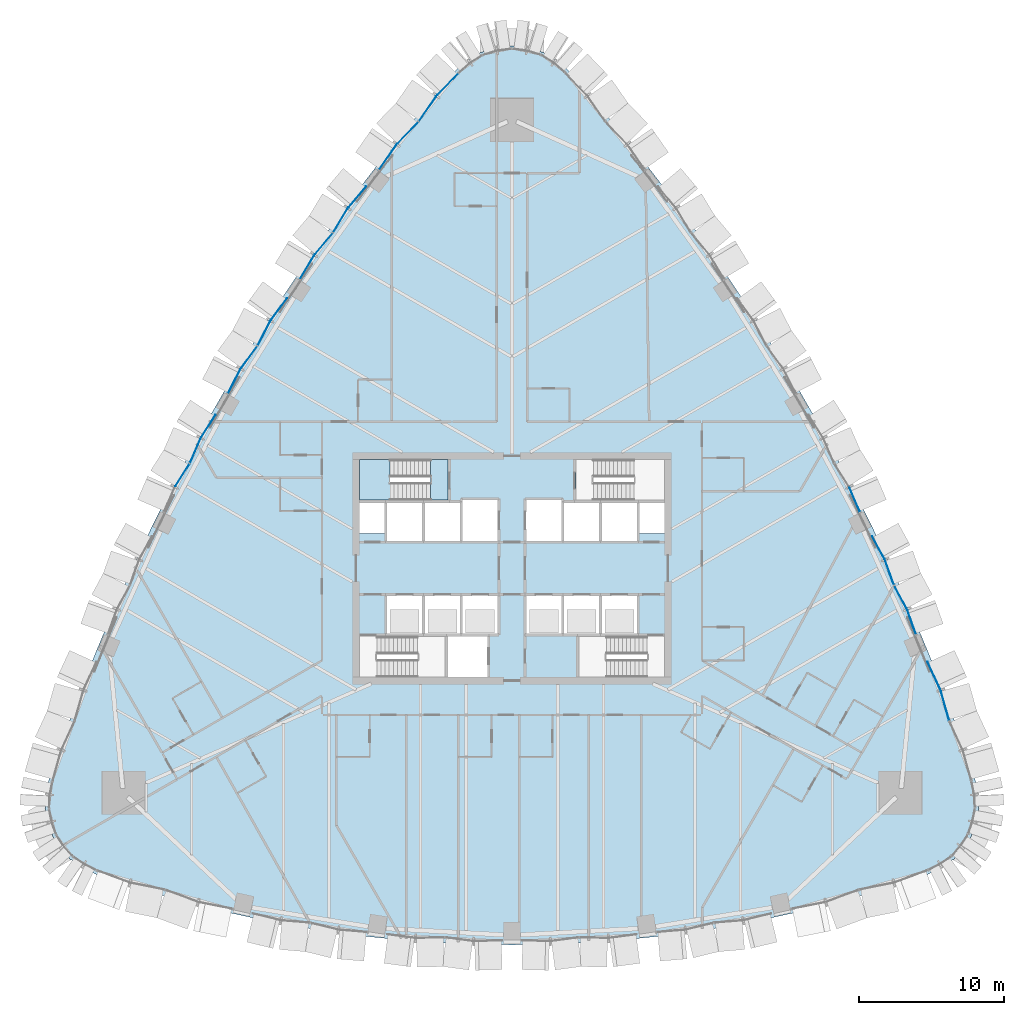
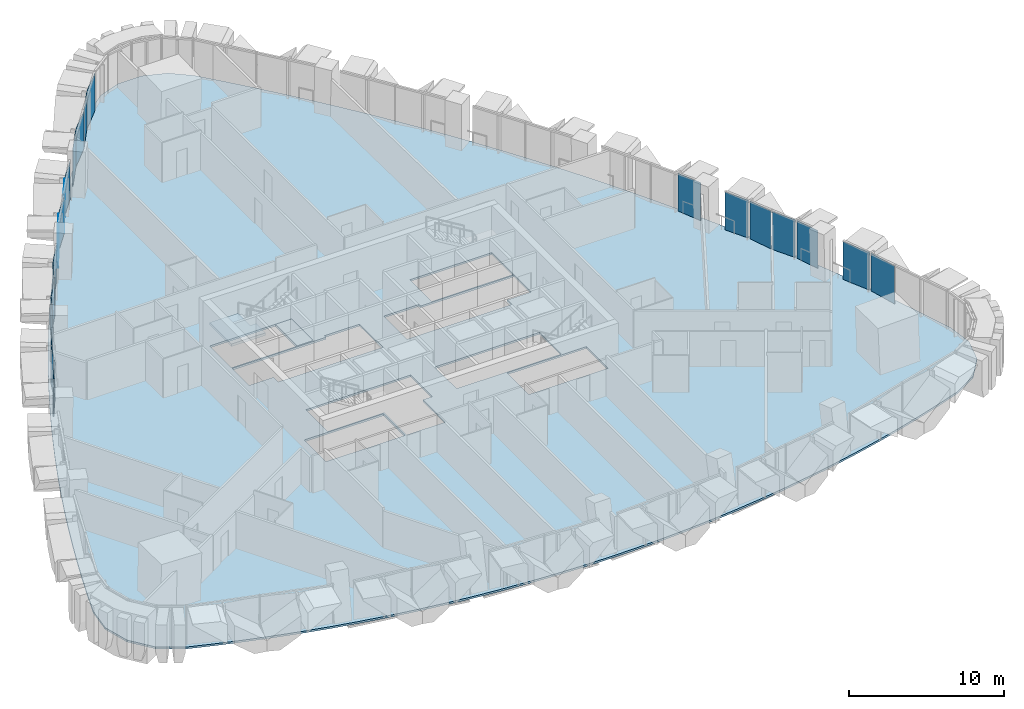
# One storey, part 11 of 22: 22 plates, 3 slabs, 8 elements without a shape of their own.
"""IFC4 building model written with IfcOpenShell, lengths in metres."""

import ifcopenshell
import ifcopenshell.guid

model = None  # the IFC model being written
_history = None  # IfcOwnerHistory: only IFC2X3 demands one
_inside = {}  # id of a spatial element -> (the spatial element, [elements in it])
_under = {}  # id of a project, library or spatial element -> (it, [spatial elements below it])
_declared = {}  # id of a project -> (the project, [libraries it declares])
_typed = {}  # id of a type object -> (the type object, [elements of that type])
_made_of = {}  # id of a material, layer set ... -> (it, [elements and type objects made of it])


def new_model(schema):
    """Start an empty IFC model of exactly this schema.

    Asked for "IFC4X3", IfcOpenShell would pick the latest addendum, in which some entities
    have other attributes; the version numbers below select the first issue.
    IFC2X3 requires an IfcOwnerHistory on every rooted entity: one is made here for all.
    """
    global model, _history
    if schema == "IFC4X3":
        model = ifcopenshell.file(schema_version=(4, 3, 0, 0))
    else:
        model = ifcopenshell.file(schema=schema)
    _inside.clear()
    _under.clear()
    _declared.clear()
    _typed.clear()
    _made_of.clear()
    _history = None
    if model.schema == "IFC2X3":
        org = make("IfcOrganization", Name="unknown")
        user = make(
            "IfcPersonAndOrganization",
            ThePerson=make("IfcPerson", FamilyName="unknown"),
            TheOrganization=org,
        )
        app = make(
            "IfcApplication",
            ApplicationDeveloper=org,
            Version="unknown",
            ApplicationFullName="unknown",
            ApplicationIdentifier="unknown",
        )
        _history = make(
            "IfcOwnerHistory",
            OwningUser=user,
            OwningApplication=app,
            ChangeAction="ADDED",
            CreationDate=0,
        )
    return model


def make(cls, **values):
    """One entity of the class cls with the attributes given. An attribute that is None is left unset."""
    return model.create_entity(
        cls, **{name: value for name, value in values.items() if value is not None}
    )


def rooted(cls, **values):
    """An entity with a GlobalId (a new one), such as an element, a storey or a relation."""
    return make(cls, GlobalId=ifcopenshell.guid.new(), OwnerHistory=_history, **values)


def si_unit(unit_type, name, prefix=None):
    """IfcSIUnit, for example si_unit("LENGTHUNIT", "METRE", prefix="MILLI")."""
    return make("IfcSIUnit", UnitType=unit_type, Prefix=prefix, Name=name)


def assignment(units):
    """IfcUnitAssignment: the units of a project."""
    return None if units is None else make("IfcUnitAssignment", Units=units)


def point(xyz):
    """IfcCartesianPoint."""
    return None if xyz is None else make("IfcCartesianPoint", Coordinates=xyz)


def direction(xyz):
    """IfcDirection."""
    return None if xyz is None else make("IfcDirection", DirectionRatios=xyz)


def frame(location, z_axis=None, x_axis=None):
    """IfcAxis2Placement3D, a coordinate frame: its origin and axes. An axis left out is left unset."""
    return make(
        "IfcAxis2Placement3D",
        Location=point(location),
        Axis=direction(z_axis),
        RefDirection=direction(x_axis),
    )


def origin():
    """The frame at (0, 0, 0) with its axes left unset."""
    return frame((0.0, 0.0, 0.0))


def place(relative_to, where):
    """IfcLocalPlacement: puts the frame where relative to a parent placement (None: the world)."""
    return make(
        "IfcLocalPlacement", PlacementRelTo=relative_to, RelativePlacement=where
    )


def context(
    kind, dimensions, precision=None, world=None, true_north=None, identifier=None
):
    """IfcGeometricRepresentationContext, for example the 3D "Model" context."""
    return make(
        "IfcGeometricRepresentationContext",
        ContextIdentifier=identifier,
        ContextType=kind,
        CoordinateSpaceDimension=dimensions,
        Precision=precision,
        WorldCoordinateSystem=world,
        TrueNorth=true_north,
    )


def subcontext(parent, identifier, kind, view, scale=None):
    """IfcGeometricRepresentationSubContext, for example "Body" below "Model"."""
    return make(
        "IfcGeometricRepresentationSubContext",
        ContextIdentifier=identifier,
        ContextType=kind,
        ParentContext=parent,
        TargetScale=scale,
        TargetView=view,
    )


def project(units=None, contexts=None):
    """IfcProject with its units and contexts."""
    return rooted(
        "IfcProject",
        Name="project",
        RepresentationContexts=contexts,
        UnitsInContext=assignment(units),
    )


def spatial(cls, under=None, at=None, **own):
    """A site, building, storey or space (cls), placed at a placement, below another one or the project."""
    s = rooted(cls, ObjectPlacement=at, **own)
    if under is not None:
        _under.setdefault(under.id(), (under, []))[1].append(s)
    return s


def polyline(points):
    """IfcPolyline through the points."""
    return make("IfcPolyline", Points=[point(p) for p in points])


def outline(outer, holes=None, kind="AREA"):
    """IfcArbitraryClosedProfileDef: a profile drawn as a closed curve; with holes, ...WithVoids."""
    if holes is None:
        return make("IfcArbitraryClosedProfileDef", ProfileType=kind, OuterCurve=outer)
    return make(
        "IfcArbitraryProfileDefWithVoids",
        ProfileType=kind,
        OuterCurve=outer,
        InnerCurves=holes,
    )


def extrude(swept, where, along, depth):
    """IfcExtrudedAreaSolid: the profile swept, set in the frame where, extruded along a direction by depth."""
    return make(
        "IfcExtrudedAreaSolid",
        SweptArea=swept,
        Position=where,
        ExtrudedDirection=direction(along),
        Depth=depth,
    )


def shape(context_of_items, identifier, shape_type, items):
    """IfcShapeRepresentation: the items that make up one representation, for example the "Body"."""
    return make(
        "IfcShapeRepresentation",
        ContextOfItems=context_of_items,
        RepresentationIdentifier=identifier,
        RepresentationType=shape_type,
        Items=items,
    )


def material(Name=None, Category=None):
    """IfcMaterial."""
    return make("IfcMaterial", Name=Name, Category=Category)


def layer(
    of_material, thickness, ventilated=None, Name=None, Category=None, Priority=None
):
    """IfcMaterialLayer: one layer of a wall or slab, of a material (None: an air gap)."""
    return make(
        "IfcMaterialLayer",
        Material=of_material,
        LayerThickness=thickness,
        IsVentilated=ventilated,
        Name=Name,
        Category=Category,
        Priority=Priority,
    )


def layer_set(layers, Name=None):
    """IfcMaterialLayerSet."""
    return make("IfcMaterialLayerSet", MaterialLayers=layers, LayerSetName=Name)


def made_of(thing, what):
    """Note that an element or type object is made of a material, layer set ...; save() writes the relation."""
    if what is not None:
        _made_of.setdefault(what.id(), (what, []))[1].append(thing)
    return thing


def type_object(cls, material=None, **own):
    """A type object (cls), such as IfcWallType, which elements share."""
    return made_of(rooted(cls, **own), material)


def element(
    cls,
    number,
    at=None,
    inside=None,
    cuts=None,
    type_object=None,
    material=None,
    context=None,
    identifier="Body",
    shape_type=None,
    held_by="IfcProductDefinitionShape",
    body=None,
    shapes=None,
    **own,
):
    """One element of the class cls, such as IfcWall. Its Tag is "e" and its number.

    at: its placement. inside: the storey or other place that contains it. cuts: it is an
    opening in that element (IfcRelVoidsElement). A single representation is given by context,
    identifier, shape_type and body (its items); several are given by shapes. held_by: the class
    of the entity that holds the representations. save() writes the other relations.
    """
    e = rooted(cls, Tag="e%d" % number, ObjectPlacement=at, **own)
    if body is not None:
        shapes = [shape(context, identifier, shape_type, body)]
    if shapes is not None:
        e.Representation = make(held_by, Representations=shapes)
    if inside is not None:
        _inside.setdefault(inside.id(), (inside, []))[1].append(e)
    if cuts is not None:
        rooted(
            "IfcRelVoidsElement", RelatingBuildingElement=cuts, RelatedOpeningElement=e
        )
    if type_object is not None:
        _typed.setdefault(type_object.id(), (type_object, []))[1].append(e)
    return made_of(e, material)


def aggregate(whole, parts):
    """IfcRelAggregates: a whole, such as a stair, and the parts it consists of."""
    return rooted("IfcRelAggregates", RelatingObject=whole, RelatedObjects=parts)


def save(model, path):
    """Write the relations noted so far, then the file.

    IfcRelAggregates (storeys below a building ...), IfcRelContainedInSpatialStructure (elements
    in a storey), IfcRelDefinesByType, IfcRelAssociatesMaterial and IfcRelDeclares: one each for
    every whole, place, type object, material and project.
    """
    for whole, parts in _under.values():
        aggregate(whole, parts)
    for where, things in _inside.values():
        rooted(
            "IfcRelContainedInSpatialStructure",
            RelatedElements=things,
            RelatingStructure=where,
        )
    for kind, things in _typed.values():
        rooted("IfcRelDefinesByType", RelatedObjects=things, RelatingType=kind)
    for what, things in _made_of.values():
        rooted("IfcRelAssociatesMaterial", RelatedObjects=things, RelatingMaterial=what)
    for by, libraries in _declared.values():
        rooted("IfcRelDeclares", RelatingContext=by, RelatedDefinitions=libraries)
    model.write(path)


model = new_model("IFC4")

# Units and contexts
model_context = context("Model", 3, precision=1e-05, world=origin(), true_north=direction((0.0, 1.0)))
body_context = subcontext(model_context, "Body", "Model", "MODEL_VIEW")
ifc_project = project(units=[si_unit("LENGTHUNIT", "METRE"), si_unit("AREAUNIT", "SQUARE_METRE"), si_unit("VOLUMEUNIT", "CUBIC_METRE"), si_unit("PLANEANGLEUNIT", "RADIAN"), si_unit("MASSUNIT", "GRAM", prefix="KILO")], contexts=[model_context])

# Site, building, storey
site_placement = place(None, origin())
site = spatial("IfcSite", under=ifc_project, at=site_placement, CompositionType="ELEMENT")
building_placement = place(site_placement, origin())
building = spatial("IfcBuilding", under=site, at=building_placement, Name="Sierra Prisma Convention Tower", CompositionType="ELEMENT")
storey_placement = place(building_placement, frame((0.0, 0.0, 62.800048828125)))
storey = spatial("IfcBuildingStorey", under=building, at=storey_placement, Name="L11", CompositionType="ELEMENT", Elevation=62.800048828125)

# Curtain wall, plates
ifc_material_1 = material(Name="Aluminium and glass curtain wall", Category="aluminium")
ifc_layer_1 = layer(ifc_material_1, 0.179931640625)
ifc_layer_set_1 = layer_set([ifc_layer_1], Name="CW-2 Faceted crystal curtain wall")
curtain_wall_type = type_object("IfcCurtainWallType", Name="CW-2 Faceted crystal curtain wall", PredefinedType="NOTDEFINED", material=ifc_layer_set_1)
curtain_wall_1_placement = place(storey_placement, origin())
curtain_wall_1 = element("IfcCurtainWall", 1, at=curtain_wall_1_placement, inside=storey, type_object=curtain_wall_type, Name="CW-2 NE1 L11", PredefinedType="NOTDEFINED")
ifc_material_2 = material(Name="Tinted glass bronze-grey IGU", Category="glass")
ifc_layer_2 = layer(ifc_material_2, 0.028076171875)
ifc_layer_set_2 = layer_set([ifc_layer_2], Name="CW-2 crystal pane")
plate_type = type_object("IfcPlateType", Name="CW-2 crystal pane", PredefinedType="CURTAIN_PANEL", material=ifc_layer_set_2)
plate_1_placement = place(storey_placement, frame((30.135498046875, -10.476318359375, 0.0), z_axis=(0.962466033033, 0.271402165168, 0.0), x_axis=(-0.271402165168, 0.962466033033, 0.0)))
plate_1 = element("IfcPlate", 2, at=plate_1_placement, type_object=plate_type, Name="CW-2 pane NE1.2.1", PredefinedType="CURTAIN_PANEL", context=body_context, shape_type="SweptSolid", body=[
    extrude(outline(polyline([(0.0, 0.0), (2.0995566428016534, 0.0), (2.0995566428016534, 2.9799804687499996), (0.0, 2.9799804687499996), (0.0, 0.0)])), origin(), (0.0, 0.0, -1.0), 0.028076171875),
])
plate_2_placement = place(storey_placement, frame((28.641845703125, -6.427001953125, 0.0), z_axis=(0.908163479477, 0.418615688363, 0.0), x_axis=(0.418615688363, -0.908163479477, 0.0)))
plate_2 = element("IfcPlate", 3, at=plate_2_placement, type_object=plate_type, Name="CW-2 pane NE1.2.2", PredefinedType="CURTAIN_PANEL", context=body_context, shape_type="SweptSolid", body=[
    extrude(outline(polyline([(0.0, 0.0), (2.0995540168029176, 0.0), (2.0995540168029176, -2.97998046875), (0.0, -2.97998046875), (0.0, 0.0)])), origin(), (0.0, 0.0, -1.0), 0.028076171875),
])
aggregate(curtain_wall_1, [plate_1, plate_2])

curtain_wall_2_placement = place(storey_placement, origin())
curtain_wall_2 = element("IfcCurtainWall", 4, at=curtain_wall_2_placement, inside=storey, type_object=curtain_wall_type, Name="CW-2 NE2 L11", PredefinedType="NOTDEFINED")
plate_3_placement = place(storey_placement, frame((27.848388671875, -4.5419921875, 0.0), z_axis=(0.942171203205, 0.335131949912, 0.0), x_axis=(-0.335131949912, 0.942171203205, 0.0)))
plate_3 = element("IfcPlate", 5, at=plate_3_placement, type_object=plate_type, Name="CW-2 pane NE2.1.1", PredefinedType="CURTAIN_PANEL", context=body_context, shape_type="SweptSolid", body=[
    extrude(outline(polyline([(0.0, 0.0), (1.7724187168105476, 0.0), (1.7724187168105476, 2.97998046875), (0.0, 2.97998046875), (0.0, 0.0)])), origin(), (0.0, 0.0, -1.0), 0.028076171875),
])
plate_4_placement = place(storey_placement, frame((26.353759765625, -1.19775390625, 0.0), z_axis=(0.878111344119, 0.478456337955, 0.0), x_axis=(0.478456337955, -0.878111344119, 0.0)))
plate_4 = element("IfcPlate", 6, at=plate_4_placement, type_object=plate_type, Name="CW-2 pane NE2.1.2", PredefinedType="CURTAIN_PANEL", context=body_context, shape_type="SweptSolid", body=[
    extrude(outline(polyline([(0.0, 0.0), (1.772158342073486, 0.0), (1.772158342073486, -2.97998046875), (0.0, -2.97998046875), (0.0, 0.0)])), origin(), (0.0, 0.0, -1.0), 0.028076171875),
])
plate_5_placement = place(storey_placement, frame((26.3251953125, -1.1337890625, 0.0), z_axis=(0.942155729656, 0.335175448202, 0.0), x_axis=(-0.335175448202, 0.942155729656, 0.0)))
plate_5 = element("IfcPlate", 7, at=plate_5_placement, type_object=plate_type, Name="CW-2 pane NE2.2.1", PredefinedType="CURTAIN_PANEL", context=body_context, shape_type="SweptSolid", body=[
    extrude(outline(polyline([(0.0, 0.0), (1.7721886964328786, 0.0), (1.7721886964328786, 2.97998046875), (0.0, 2.97998046875), (0.0, 0.0)])), origin(), (0.0, 0.0, -1.0), 0.028076171875),
])
plate_6_placement = place(storey_placement, frame((24.830322265625, 2.21044921875, 0.0), z_axis=(0.878111344119, 0.478456337955, 0.0), x_axis=(0.478456337955, -0.878111344119, 0.0)))
plate_6 = element("IfcPlate", 8, at=plate_6_placement, type_object=plate_type, Name="CW-2 pane NE2.2.2", PredefinedType="CURTAIN_PANEL", context=body_context, shape_type="SweptSolid", body=[
    extrude(outline(polyline([(0.0, 0.0), (1.772158342073486, 0.0), (1.772158342073486, -2.97998046875), (0.0, -2.97998046875), (0.0, 0.0)])), origin(), (0.0, 0.0, -1.0), 0.028076171875),
])
aggregate(curtain_wall_2, [plate_3, plate_4, plate_5, plate_6])

# Curtain wall, plate
curtain_wall_3_placement = place(storey_placement, origin())
curtain_wall_3 = element("IfcCurtainWall", 9, at=curtain_wall_3_placement, inside=storey, type_object=curtain_wall_type, Name="CW-2 NE3 L11", PredefinedType="NOTDEFINED")
plate_7_placement = place(storey_placement, frame((23.9912109375, 3.889892578125, 0.0), z_axis=(0.91759980334, 0.397505472806, 0.0), x_axis=(-0.397505472806, 0.91759980334, 0.0)))
plate_7 = element("IfcPlate", 10, at=plate_7_placement, type_object=plate_type, Name="CW-2 pane NE3.1.1", PredefinedType="CURTAIN_PANEL", context=body_context, shape_type="SweptSolid", body=[
    extrude(outline(polyline([(0.0, 0.0), (1.8142930238386632, 0.0), (1.8142930238386632, 2.97998046875), (0.0, 2.97998046875), (0.0, 0.0)])), origin(), (0.0, 0.0, -1.0), 0.028076171875),
])
aggregate(curtain_wall_3, [plate_7])

# Curtain wall, plates
curtain_wall_4_placement = place(storey_placement, origin())
curtain_wall_4 = element("IfcCurtainWall", 11, at=curtain_wall_4_placement, inside=storey, type_object=curtain_wall_type, Name="CW-2 NW1 L11", PredefinedType="NOTDEFINED")
plate_8_placement = place(storey_placement, frame((-3.717529296875, 34.111572265625, 0.0), z_axis=(-0.720184964039, 0.69378211102, 0.0), x_axis=(-0.69378211102, -0.720184964039, 0.0)))
plate_8 = element("IfcPlate", 12, at=plate_8_placement, type_object=plate_type, Name="CW-2 pane NW1.1.1", PredefinedType="CURTAIN_PANEL", context=body_context, shape_type="SweptSolid", body=[
    extrude(outline(polyline([(0.0, 0.0), (2.071272372008131, 0.0), (2.071272372008131, 2.97998046875), (0.0, 2.97998046875), (0.0, 0.0)])), origin(), (0.0, 0.0, -1.0), 0.028076171875),
])
plate_9_placement = place(storey_placement, frame((-6.423095703125, 30.821533203125, 0.0), z_axis=(-0.819796275945, 0.572655276713, 0.0), x_axis=(0.572655276713, 0.819796275945, 0.0)))
plate_9 = element("IfcPlate", 13, at=plate_9_placement, type_object=plate_type, Name="CW-2 pane NW1.1.2", PredefinedType="CURTAIN_PANEL", context=body_context, shape_type="SweptSolid", body=[
    extrude(outline(polyline([(0.0, 0.0), (2.0715417199754946, 0.0), (2.0715417199754946, -2.97998046875), (0.0, -2.97998046875), (0.0, 0.0)])), origin(), (0.0, 0.0, -1.0), 0.028076171875),
])
plate_10_placement = place(storey_placement, frame((-6.467529296875, 30.767578125, 0.0), z_axis=(-0.720241691551, 0.693723219845, 0.0), x_axis=(-0.693723219845, -0.720241691551, 0.0)))
plate_10 = element("IfcPlate", 14, at=plate_10_placement, type_object=plate_type, Name="CW-2 pane NW1.2.1", PredefinedType="CURTAIN_PANEL", context=body_context, shape_type="SweptSolid", body=[
    extrude(outline(polyline([(0.0, 0.0), (2.071448205340406, 0.0), (2.071448205340406, 2.97998046875), (0.0, 2.97998046875), (0.0, 0.0)])), origin(), (0.0, 0.0, -1.0), 0.028076171875),
])
plate_11_placement = place(storey_placement, frame((-9.1728515625, 27.477294921875, 0.0), z_axis=(-0.819851603929, 0.572576062663, 0.0), x_axis=(0.572576062663, 0.819851603929, 0.0)))
plate_11 = element("IfcPlate", 15, at=plate_11_placement, type_object=plate_type, Name="CW-2 pane NW1.2.2", PredefinedType="CURTAIN_PANEL", context=body_context, shape_type="SweptSolid", body=[
    extrude(outline(polyline([(0.0, 0.0), (2.071401921227686, 0.0), (2.071401921227686, -2.97998046875), (0.0, -2.97998046875), (0.0, 0.0)])), origin(), (0.0, 0.0, -1.0), 0.028076171875),
])
aggregate(curtain_wall_4, [plate_8, plate_9, plate_10, plate_11])

curtain_wall_5_placement = place(storey_placement, origin())
curtain_wall_5 = element("IfcCurtainWall", 16, at=curtain_wall_5_placement, inside=storey, type_object=curtain_wall_type, Name="CW-2 NW2 L11", PredefinedType="NOTDEFINED")
plate_12_placement = place(storey_placement, frame((-10.060302734375, 26.32763671875, 0.0), z_axis=(-0.764978268736, 0.644056091006, 0.0), x_axis=(-0.644056091006, -0.764978268736, 0.0)))
plate_12 = element("IfcPlate", 17, at=plate_12_placement, type_object=plate_type, Name="CW-2 pane NW2.1.1", PredefinedType="CURTAIN_PANEL", context=body_context, shape_type="SweptSolid", body=[
    extrude(outline(polyline([(0.0, 0.0), (1.8877553205034978, 0.0), (1.8877553205034978, 2.97998046875), (0.0, 2.97998046875), (0.0, 0.0)])), origin(), (0.0, 0.0, -1.0), 0.028076171875),
])
plate_13_placement = place(storey_placement, frame((-12.326171875, 23.161865234375, 0.0), z_axis=(-0.856326716551, 0.516434462949, 0.0), x_axis=(0.516434462949, 0.856326716551, 0.0)))
plate_13 = element("IfcPlate", 18, at=plate_13_placement, type_object=plate_type, Name="CW-2 pane NW2.1.2", PredefinedType="CURTAIN_PANEL", context=body_context, shape_type="SweptSolid", body=[
    extrude(outline(polyline([(0.0, 0.0), (1.8876616212982986, 0.0), (1.8876616212982986, -2.97998046875), (0.0, -2.97998046875), (0.0, 0.0)])), origin(), (0.0, 0.0, -1.0), 0.028076171875),
])
plate_14_placement = place(storey_placement, frame((-12.366943359375, 23.10498046875, 0.0), z_axis=(-0.764978268736, 0.644056091006, 0.0), x_axis=(-0.644056091006, -0.764978268736, 0.0)))
plate_14 = element("IfcPlate", 19, at=plate_14_placement, type_object=plate_type, Name="CW-2 pane NW2.2.1", PredefinedType="CURTAIN_PANEL", context=body_context, shape_type="SweptSolid", body=[
    extrude(outline(polyline([(0.0, 0.0), (1.8877553205034978, 0.0), (1.8877553205034978, 2.97998046875), (0.0, 2.97998046875), (0.0, 0.0)])), origin(), (0.0, 0.0, -1.0), 0.028076171875),
])
plate_15_placement = place(storey_placement, frame((-14.633056640625, 19.939208984375, 0.0), z_axis=(-0.856292216599, 0.516491664785, 0.0), x_axis=(0.516491664785, 0.856292216599, 0.0)))
plate_15 = element("IfcPlate", 20, at=plate_15_placement, type_object=plate_type, Name="CW-2 pane NW2.2.2", PredefinedType="CURTAIN_PANEL", context=body_context, shape_type="SweptSolid", body=[
    extrude(outline(polyline([(0.0, 0.0), (1.8874525613697026, 0.0), (1.8874525613697026, -2.97998046875), (0.0, -2.97998046875), (0.0, 0.0)])), origin(), (0.0, 0.0, -1.0), 0.028076171875),
])
aggregate(curtain_wall_5, [plate_12, plate_13, plate_14, plate_15])

curtain_wall_6_placement = place(storey_placement, origin())
curtain_wall_6 = element("IfcCurtainWall", 21, at=curtain_wall_6_placement, inside=storey, type_object=curtain_wall_type, Name="CW-2 NW3 L11", PredefinedType="NOTDEFINED")
plate_16_placement = place(storey_placement, frame((-15.518798828125, 18.62451171875, 0.0), z_axis=(-0.806338014789, 0.5914549906, 0.0), x_axis=(-0.5914549906, -0.806338014789, 0.0)))
plate_16 = element("IfcPlate", 22, at=plate_16_placement, type_object=plate_type, Name="CW-2 pane NW3.1.1", PredefinedType="CURTAIN_PANEL", context=body_context, shape_type="SweptSolid", body=[
    extrude(outline(polyline([(0.0, 0.0), (1.8542064991076392, 0.0), (1.8542064991076392, 2.97998046875), (0.0, 2.97998046875), (0.0, 0.0)])), origin(), (0.0, 0.0, -1.0), 0.028076171875),
])
plate_17_placement = place(storey_placement, frame((-17.532958984375, 15.37060546875, 0.0), z_axis=(-0.888937196968, 0.458029103711, 0.0), x_axis=(0.458029103711, 0.888937196968, 0.0)))
plate_17 = element("IfcPlate", 23, at=plate_17_placement, type_object=plate_type, Name="CW-2 pane NW3.1.2", PredefinedType="CURTAIN_PANEL", context=body_context, shape_type="SweptSolid", body=[
    extrude(outline(polyline([(0.0, 0.0), (1.8543914076513484, 0.0), (1.8543914076513484, -2.97998046875), (0.0, -2.97998046875), (0.0, 0.0)])), origin(), (0.0, 0.0, -1.0), 0.028076171875),
])
plate_18_placement = place(storey_placement, frame((-17.569580078125, 15.311279296875, 0.0), z_axis=(-0.806384067606, 0.591392201091, 0.0), x_axis=(-0.591392201091, -0.806384067606, 0.0)))
plate_18 = element("IfcPlate", 24, at=plate_18_placement, type_object=plate_type, Name="CW-2 pane NW3.2.1", PredefinedType="CURTAIN_PANEL", context=body_context, shape_type="SweptSolid", body=[
    extrude(outline(polyline([(0.0, 0.0), (1.8544033645965112, 0.0), (1.8544033645965112, 2.97998046875), (0.0, 2.97998046875), (0.0, 0.0)])), origin(), (0.0, 0.0, -1.0), 0.028076171875),
])
plate_19_placement = place(storey_placement, frame((-19.583740234375, 12.057373046875, 0.0), z_axis=(-0.888990798804, 0.457925058981, 0.0), x_axis=(0.457925058981, 0.888990798804, 0.0)))
plate_19 = element("IfcPlate", 25, at=plate_19_placement, type_object=plate_type, Name="CW-2 pane NW3.2.2", PredefinedType="CURTAIN_PANEL", context=body_context, shape_type="SweptSolid", body=[
    extrude(outline(polyline([(0.0, 0.0), (1.8542795968400902, 0.0), (1.8542795968400902, -2.97998046875), (0.0, -2.97998046875), (0.0, 0.0)])), origin(), (0.0, 0.0, -1.0), 0.028076171875),
])
aggregate(curtain_wall_6, [plate_16, plate_17, plate_18, plate_19])

curtain_wall_7_placement = place(storey_placement, origin())
curtain_wall_7 = element("IfcCurtainWall", 26, at=curtain_wall_7_placement, inside=storey, type_object=curtain_wall_type, Name="CW-2 NW4 L11", PredefinedType="NOTDEFINED")
plate_20_placement = place(storey_placement, frame((-20.449462890625, 10.573486328125, 0.0), z_axis=(-0.844132519281, 0.536134581885, 0.0), x_axis=(-0.536134581885, -0.844132519281, 0.0)))
plate_20 = element("IfcPlate", 27, at=plate_20_placement, type_object=plate_type, Name="CW-2 pane NW4.1.1", PredefinedType="CURTAIN_PANEL", context=body_context, shape_type="SweptSolid", body=[
    extrude(outline(polyline([(0.0, 0.0), (1.8128355472009097, 0.0), (1.8128355472009097, 2.97998046875), (0.0, 2.97998046875), (0.0, 0.0)])), origin(), (0.0, 0.0, -1.0), 0.028076171875),
])
plate_21_placement = place(storey_placement, frame((-22.20263671875, 7.26513671875, 0.0), z_axis=(-0.91764076503, 0.397410903669, 0.0), x_axis=(0.397410903669, 0.91764076503, 0.0)))
plate_21 = element("IfcPlate", 28, at=plate_21_placement, type_object=plate_type, Name="CW-2 pane NW4.1.2", PredefinedType="CURTAIN_PANEL", context=body_context, shape_type="SweptSolid", body=[
    extrude(outline(polyline([(0.0, 0.0), (1.812881774814985, 0.0), (1.812881774814985, -2.97998046875), (0.0, -2.97998046875), (0.0, 0.0)])), origin(), (0.0, 0.0, -1.0), 0.028076171875),
])
plate_22_placement = place(storey_placement, frame((-22.2353515625, 7.203369140625, 0.0), z_axis=(-0.844132519281, 0.536134581885, 0.0), x_axis=(-0.536134581885, -0.844132519281, 0.0)))
plate_22 = element("IfcPlate", 29, at=plate_22_placement, type_object=plate_type, Name="CW-2 pane NW4.2.1", PredefinedType="CURTAIN_PANEL", context=body_context, shape_type="SweptSolid", body=[
    extrude(outline(polyline([(0.0, 0.0), (1.8128355472009097, 0.0), (1.8128355472009097, 2.97998046875), (0.0, 2.97998046875), (0.0, 0.0)])), origin(), (0.0, 0.0, -1.0), 0.028076171875),
])
aggregate(curtain_wall_7, [plate_20, plate_21, plate_22])

# Slab
ifc_material_3 = material(Name="Concrete C35/45", Category="concrete")
ifc_layer_3 = layer(ifc_material_3, 0.14990234375)
ifc_layer_set_3 = layer_set([ifc_layer_3], Name="Composite floor slab 150")
slab_type_1 = type_object("IfcSlabType", Name="Composite floor slab 150", PredefinedType="FLOOR", material=ifc_layer_set_3)
slab_1_placement = place(storey_placement, frame((0.0, 0.0, -0.150146484375)))
element("IfcSlab", 30, at=slab_1_placement, inside=storey, type_object=slab_type_1, Name="Floor slab L11 floor", PredefinedType="FLOOR", context=body_context, shape_type="SweptSolid", body=[
    extrude(outline(polyline([(-28.732666015625, -21.049560546875), (-26.883056640625, -21.674072265625), (-25.02001953125, -22.257080078125), (-23.144287109375, -22.7978515625), (-21.2568359375, -23.29638671875), (-19.358642578125, -23.752685546875), (-17.45068359375, -24.166015625), (-15.533935546875, -24.536376953125), (-13.609375, -24.863525390625), (-11.677978515625, -25.147705078125), (-9.74072265625, -25.38818359375), (-7.79833984375, -25.585205078125), (-5.852294921875, -25.73828125), (-3.903076171875, -25.847900390625), (-1.9521484375, -25.913818359375), (0.0, -25.935546875), (1.9521484375, -25.913818359375), (3.903076171875, -25.847900390625), (5.852294921875, -25.73828125), (7.79833984375, -25.585205078125), (9.74072265625, -25.38818359375), (11.677978515625, -25.147705078125), (13.609375, -24.863525390625), (15.533935546875, -24.536376953125), (17.45068359375, -24.166015625), (19.358642578125, -23.752685546875), (21.2568359375, -23.29638671875), (23.144287109375, -22.7978515625), (25.02001953125, -22.257080078125), (26.883056640625, -21.674072265625), (28.732666015625, -21.049560546875), (30.4443359375, -20.044189453125), (31.647705078125, -18.46533203125), (32.16357421875, -16.54833984375), (31.914794921875, -14.57861328125), (31.286376953125, -12.724853515625), (30.632568359375, -10.8798828125), (29.952880859375, -9.044189453125), (29.248046875, -7.21826171875), (28.51806640625, -5.402099609375), (27.762939453125, -3.59619140625), (26.98291015625, -1.80078125), (26.177978515625, -0.0166015625), (25.348388671875, 1.75634765625), (24.494384765625, 3.517578125), (23.615966796875, 5.266845703125), (22.71337890625, 7.003662109375), (21.786865234375, 8.72802734375), (20.836669921875, 10.439208984375), (19.86279296875, 12.13720703125), (18.865478515625, 13.821533203125), (17.8447265625, 15.49169921875), (16.80126953125, 17.147705078125), (15.734619140625, 18.7890625), (14.6455078125, 20.41552734375), (13.533935546875, 22.026611328125), (12.400390625, 23.622314453125), (11.24462890625, 25.2021484375), (10.06689453125, 26.765625), (8.867919921875, 28.312744140625), (7.6474609375, 29.84326171875), (6.406005859375, 31.3564453125), (5.1435546875, 32.8525390625), (3.860595703125, 34.330810546875), (2.50830078125, 35.4228515625), (0.869140625, 36.002197265625), (-0.869140625, 36.002197265625), (-2.50830078125, 35.4228515625), (-3.860595703125, 34.330810546875), (-5.1435546875, 32.8525390625), (-6.406005859375, 31.3564453125), (-7.6474609375, 29.84326171875), (-8.867919921875, 28.312744140625), (-10.06689453125, 26.765625), (-11.24462890625, 25.2021484375), (-12.400390625, 23.622314453125), (-13.533935546875, 22.026611328125), (-14.6455078125, 20.41552734375), (-15.734619140625, 18.7890625), (-16.80126953125, 17.147705078125), (-17.8447265625, 15.49169921875), (-18.865478515625, 13.821533203125), (-19.86279296875, 12.13720703125), (-20.836669921875, 10.439208984375), (-21.786865234375, 8.72802734375), (-22.71337890625, 7.003662109375), (-23.615966796875, 5.266845703125), (-24.494384765625, 3.517578125), (-25.348388671875, 1.75634765625), (-26.177978515625, -0.0166015625), (-26.98291015625, -1.80078125), (-27.762939453125, -3.59619140625), (-28.51806640625, -5.402099609375), (-29.248046875, -7.21826171875), (-29.952880859375, -9.044189453125), (-30.632568359375, -10.8798828125), (-31.286376953125, -12.724853515625), (-31.914794921875, -14.57861328125), (-32.16357421875, -16.54833984375), (-31.647705078125, -18.46533203125), (-30.4443359375, -20.044189453125), (-28.732666015625, -21.049560546875)]), holes=[polyline([(-4.60009765625, -7.5), (-10.5, -7.5), (-10.5, -4.699951171875), (-4.60009765625, -4.699951171875), (-4.60009765625, -7.5)]), polyline([(-8.699951171875, -4.60009765625), (-8.699951171875, -1.800048828125), (-6.10009765625, -1.800048828125), (-3.5, -1.800048828125), (-0.89990234375, -1.800048828125), (-0.89990234375, -4.60009765625), (-1.60009765625, -4.60009765625), (-1.60009765625, -7.5), (-4.5, -7.5), (-4.5, -4.60009765625), (-6.10009765625, -4.60009765625), (-8.699951171875, -4.60009765625)]), polyline([(-10.5, 4.60009765625), (-8.699951171875, 4.60009765625), (-6.10009765625, 4.60009765625), (-3.5, 4.60009765625), (-3.5, 4.800048828125), (-0.89990234375, 4.800048828125), (-0.89990234375, 1.800048828125), (-3.5, 1.800048828125), (-6.10009765625, 1.800048828125), (-8.699951171875, 1.800048828125), (-8.699951171875, 2.39990234375), (-10.5, 2.39990234375), (-10.5, 4.60009765625)]), polyline([(-4.39990234375, 4.699951171875), (-10.5, 4.699951171875), (-10.5, 7.5), (-4.39990234375, 7.5), (-4.39990234375, 4.699951171875)]), polyline([(10.5, -7.5), (4.60009765625, -7.5), (4.60009765625, -4.699951171875), (10.5, -4.699951171875), (10.5, -7.5)]), polyline([(6.10009765625, -1.800048828125), (8.699951171875, -1.800048828125), (8.699951171875, -4.60009765625), (6.10009765625, -4.60009765625), (3.5, -4.60009765625), (0.89990234375, -4.60009765625), (0.89990234375, -1.800048828125), (3.5, -1.800048828125), (6.10009765625, -1.800048828125)]), polyline([(10.5, 4.60009765625), (10.5, 2.39990234375), (8.699951171875, 2.39990234375), (8.699951171875, 1.800048828125), (6.10009765625, 1.800048828125), (3.5, 1.800048828125), (0.89990234375, 1.800048828125), (0.89990234375, 4.800048828125), (3.5, 4.800048828125), (3.5, 4.60009765625), (6.10009765625, 4.60009765625), (8.699951171875, 4.60009765625), (10.5, 4.60009765625)]), polyline([(4.39990234375, 4.699951171875), (4.39990234375, 7.5), (10.5, 7.5), (10.5, 4.699951171875), (4.39990234375, 4.699951171875)])]), origin(), (0.0, 0.0, 1.0), 0.150146484375),
])

# Stair, slab
ifc_material_4 = material(Name="Concrete C30/37", Category="concrete")
stair_type = type_object("IfcStairType", Name="Stair dog-leg 1200 RC", PredefinedType="HALF_TURN_STAIR", material=ifc_material_4)
stair_placement = place(storey_placement, origin())
stair = element("IfcStair", 31, at=stair_placement, inside=storey, type_object=stair_type, Name="L11 S3", PredefinedType="HALF_TURN_STAIR")
ifc_material_5 = material(Name="Concrete C35/45", Category="concrete")
ifc_layer_4 = layer(ifc_material_5, 0.199951171875)
ifc_layer_set_4 = layer_set([ifc_layer_4], Name="Stair landing slab")
slab_type_2 = type_object("IfcSlabType", Name="Stair landing slab", PredefinedType="LANDING", material=ifc_layer_set_4)
slab_2_placement = place(storey_placement, frame((0.0, 0.0, 1.64990234375)))
slab_2 = element("IfcSlab", 32, at=slab_2_placement, type_object=slab_type_2, Name="S3 landing 1", PredefinedType="LANDING", context=body_context, shape_type="SweptSolid", body=[
    extrude(outline(polyline([(-7.949951171875, 5.89990234375), (-7.949951171875, 4.699951171875), (-10.5, 4.699951171875), (-10.5, 7.5), (-8.39794921875, 7.5), (-8.39794921875, 5.89990234375), (-7.949951171875, 5.89990234375)])), origin(), (0.0, 0.0, 1.0), 0.199951171875),
])
aggregate(stair, [slab_2])

# Slab
slab_3_placement = place(storey_placement, frame((0.0, 0.0, -0.199951171875)))
element("IfcSlab", 33, at=slab_3_placement, inside=storey, type_object=slab_type_2, Name="S3 floor landing L11", PredefinedType="LANDING", context=body_context, shape_type="SweptSolid", body=[
    extrude(outline(polyline([(-4.39990234375, 7.5), (-5.60205078125, 7.5), (-5.60205078125, 4.699951171875), (-4.39990234375, 4.699951171875), (-4.39990234375, 7.5)])), origin(), (0.0, 0.0, 1.0), 0.199951171875),
])

save(model, "model.ifc")
